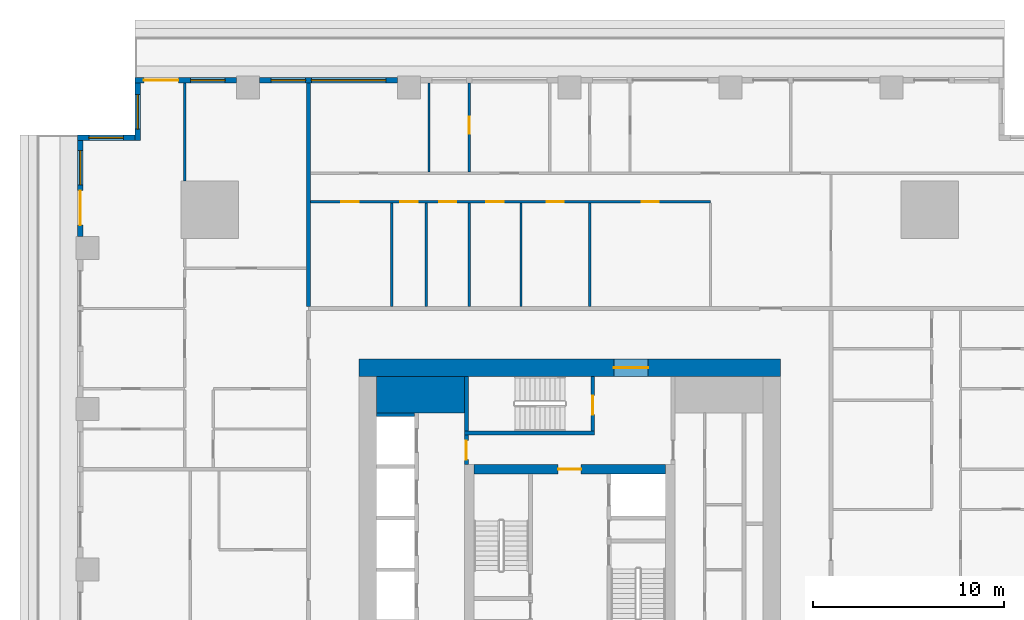
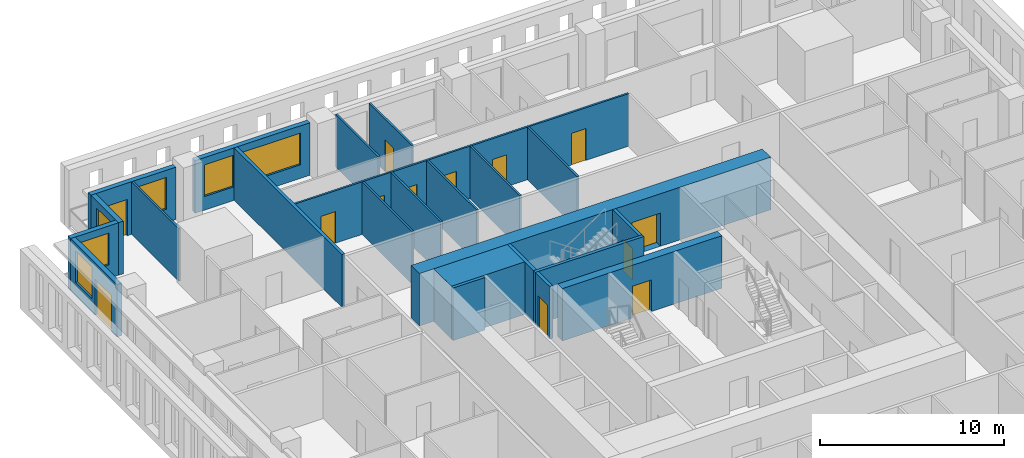
# One storey, part 7 of 14: 23 walls, 13 doors, 6 windows, 19 openings.
"""IFC4 building model written with IfcOpenShell, lengths in metres."""

from ifc_helpers import new_model, si_unit, direction, frame, frame_2d, origin, place, context, subcontext, project, spatial, rectangle, extrude, material, layer, layer_set, type_object, element, fill, save


model = new_model("IFC4")

# Units and contexts
model_context = context("Model", 3, precision=1e-05, world=origin(), true_north=direction((0.0, 1.0)))
body_context = subcontext(model_context, "Body", "Model", "MODEL_VIEW")
ifc_project = project(units=[si_unit("LENGTHUNIT", "METRE"), si_unit("AREAUNIT", "SQUARE_METRE"), si_unit("VOLUMEUNIT", "CUBIC_METRE"), si_unit("PLANEANGLEUNIT", "RADIAN"), si_unit("MASSUNIT", "GRAM", prefix="KILO")], contexts=[model_context])

# Site, building, storey
site_placement = place(None, origin())
site = spatial("IfcSite", under=ifc_project, at=site_placement, CompositionType="ELEMENT")
building_placement = place(site_placement, origin())
building = spatial("IfcBuilding", under=site, at=building_placement, Name="Khepri Terraces", CompositionType="ELEMENT")
storey_placement = place(building_placement, frame((0.0, 0.0, 62.10009765625)))
storey = spatial("IfcBuildingStorey", under=building, at=storey_placement, Name="L14", CompositionType="ELEMENT", Elevation=62.10009765625)

# Walls
ifc_material_1 = material(Name="Concrete C80/95", Category="concrete")
ifc_layer_1 = layer(ifc_material_1, 1.89990234375, Name="Concrete C80/95", Category="concrete")
ifc_layer_set_1 = layer_set([ifc_layer_1], Name="Concrete C80/95")
wall_type_1 = type_object("IfcWallType", Name="Core wall 1900 C80/95", PredefinedType="SHEAR", material=ifc_layer_set_1)
wall_1_placement = place(storey_placement, frame((-10.10009765625, 9.14990234375, 0.0), z_axis=(0.0, 0.0, 1.0), x_axis=(1.0, 0.0, 0.0)))
element("IfcWall", 1, at=wall_1_placement, inside=storey, type_object=wall_type_1, Name="Core wall PR03 L14", PredefinedType="SHEAR", context=body_context, shape_type="SweptSolid", body=[
    extrude(rectangle(XDim=4.60009765625, YDim=1.89990234375, at=frame_2d((2.300048828125, 0.0))), origin(), (0.0, 0.0, 1.0), 3.47998046875),
])
ifc_layer_2 = layer(ifc_material_1, 0.199951171875, Name="Concrete C80/95", Category="concrete")
ifc_layer_set_2 = layer_set([ifc_layer_2], Name="Concrete C80/95")
wall_type_2 = type_object("IfcWallType", Name="Core wall 200 C80/95", PredefinedType="SHEAR", material=ifc_layer_set_2)
wall_2_placement = place(storey_placement, frame((-5.5, 7.14990234375, 0.0), z_axis=(0.0, 0.0, 1.0), x_axis=(1.0, 0.0, 0.0)))
element("IfcWall", 2, at=wall_2_placement, inside=storey, type_object=wall_type_2, Name="Core wall ST05 L14", PredefinedType="SHEAR", context=body_context, shape_type="SweptSolid", body=[
    extrude(rectangle(XDim=6.800048828125, YDim=0.199951171875, at=frame_2d((3.39990234375, 0.0))), origin(), (0.0, 0.0, 1.0), 3.47998046875),
])
wall_3_placement = place(storey_placement, frame((-5.39990234375, 7.25, 0.0), z_axis=(0.0, 0.0, 1.0), x_axis=(0.0, 1.0, 0.0)))
element("IfcWall", 3, at=wall_3_placement, inside=storey, type_object=wall_type_2, Name="Core wall ST06 L14", PredefinedType="SHEAR", context=body_context, shape_type="SweptSolid", body=[
    extrude(rectangle(XDim=2.85009765625, YDim=0.199951171875, at=frame_2d((1.425048828125, 0.0))), origin(), (0.0, 0.0, 1.0), 3.47998046875),
])

# Wall, opening, door
wall_4_placement = place(storey_placement, frame((1.199951171875, 7.25, 0.0), z_axis=(0.0, 0.0, 1.0), x_axis=(0.0, 1.0, 0.0)))
wall_4 = element("IfcWall", 4, at=wall_4_placement, inside=storey, type_object=wall_type_2, Name="Core wall ST07 L14", PredefinedType="SHEAR", context=body_context, shape_type="SweptSolid", body=[
    extrude(rectangle(XDim=2.85009765625, YDim=0.199951171875, at=frame_2d((1.425048828125, 0.0))), origin(), (0.0, 0.0, 1.0), 3.47998046875),
])
opening_1_placement = place(wall_4_placement, frame((0.85009765625, 0.0, 0.0)))
opening_1 = element("IfcOpeningElement", 5, at=opening_1_placement, cuts=wall_4, Name="Opening L14-C15", PredefinedType="OPENING", context=body_context, shape_type="SweptSolid", body=[
    extrude(rectangle(XDim=1.0, YDim=2.10009765625, at=frame_2d((0.5, 1.050048828125))), frame((0.0, 0.10986328125, 0.0), z_axis=(0.0, -1.0, 0.0), x_axis=(1.0, 0.0, 0.0)), (0.0, 0.0, 1.0), 0.219970703125),
])
ifc_material_2 = material(Name="Painted steel", Category="steel")
door_type_1 = type_object("IfcDoorType", Name="DR-CORE-STAIR-1000", OperationType="NOTDEFINED", PredefinedType="DOOR", material=ifc_material_2)
door_1_placement = place(opening_1_placement, origin())
door_1 = element("IfcDoor", 6, at=door_1_placement, inside=storey, type_object=door_type_1, Name="Stair door L14-C15", OperationType="SINGLE_SWING_LEFT", OverallHeight=2.10009765625, OverallWidth=1.0, PredefinedType="DOOR", context=body_context, shape_type="SweptSolid", body=[
    extrude(rectangle(XDim=1.0, YDim=2.10009765625, at=frame_2d((0.5, 1.050048828125))), frame((0.0, 0.02490234375, 0.0), z_axis=(0.0, -1.0, 0.0), x_axis=(1.0, 0.0, 0.0)), (0.0, 0.0, 1.0), 0.050048828125),
])
fill(opening_1, door_1)

# Wall
wall_5_placement = place(storey_placement, frame((-10.10009765625, 8.10009765625, 0.0), z_axis=(0.0, 0.0, 1.0), x_axis=(1.0, 0.0, 0.0)))
element("IfcWall", 7, at=wall_5_placement, inside=storey, type_object=wall_type_2, Name="Core wall SH20 L14", PredefinedType="SHEAR", context=body_context, shape_type="SweptSolid", body=[
    extrude(rectangle(XDim=2.0, YDim=0.199951171875, at=frame_2d((1.0, 0.0))), origin(), (0.0, 0.0, 1.0), 3.47998046875),
])

# Wall, opening, door
ifc_layer_3 = layer(ifc_material_1, 0.5, Name="Concrete C80/95", Category="concrete")
ifc_layer_set_3 = layer_set([ifc_layer_3], Name="Concrete C80/95")
wall_type_3 = type_object("IfcWallType", Name="Core wall 500 C80/95", PredefinedType="SHEAR", material=ifc_layer_set_3)
wall_6_placement = place(storey_placement, frame((-5.0, 5.25, 0.0), z_axis=(0.0, 0.0, 1.0), x_axis=(1.0, 0.0, 0.0)))
wall_6 = element("IfcWall", 8, at=wall_6_placement, inside=storey, type_object=wall_type_3, Name="Core wall BX04 L14", PredefinedType="SHEAR", context=body_context, shape_type="SweptSolid", body=[
    extrude(rectangle(XDim=10.0, YDim=0.5, at=frame_2d((5.0, 0.0))), origin(), (0.0, 0.0, 1.0), 3.47998046875),
])
opening_2_placement = place(wall_6_placement, frame((4.39990234375, 0.0, 0.0)))
opening_2 = element("IfcOpeningElement", 9, at=opening_2_placement, cuts=wall_6, Name="Opening L14-C13", PredefinedType="OPENING", context=body_context, shape_type="SweptSolid", body=[
    extrude(rectangle(XDim=1.199951171875, YDim=2.10009765625, at=frame_2d((0.60009765625, 1.050048828125))), frame((0.0, 0.260009765625, 0.0), z_axis=(0.0, -1.0, 0.0), x_axis=(1.0, 0.0, 0.0)), (0.0, 0.0, 1.0), 0.52001953125),
])
door_type_2 = type_object("IfcDoorType", Name="DR-CORE-FF-LOBBY-1200", OperationType="NOTDEFINED", PredefinedType="DOOR", material=ifc_material_2)
door_2_placement = place(opening_2_placement, frame((1.199951171875, 0.0, 0.0), z_axis=(0.0, 0.0, 1.0), x_axis=(-1.0, 0.0, 0.0)))
door_2 = element("IfcDoor", 10, at=door_2_placement, inside=storey, type_object=door_type_2, Name="Firefighting lobby door L14-C13", OperationType="SINGLE_SWING_LEFT", OverallHeight=2.10009765625, OverallWidth=1.199951171875, PredefinedType="DOOR", context=body_context, shape_type="SweptSolid", body=[
    extrude(rectangle(XDim=1.199951171875, YDim=2.10009765625, at=frame_2d((0.60009765625, 1.050048828125))), frame((0.0, 0.02490234375, 0.0), z_axis=(0.0, -1.0, 0.0), x_axis=(1.0, 0.0, 0.0)), (0.0, 0.0, 1.0), 0.050048828125),
])
fill(opening_2, door_2)

ifc_layer_4 = layer(ifc_material_1, 0.89990234375, Name="Concrete C80/95", Category="concrete")
ifc_layer_set_4 = layer_set([ifc_layer_4], Name="Concrete C80/95")
wall_type_4 = type_object("IfcWallType", Name="Core wall 900 C80/95", PredefinedType="SHEAR", material=ifc_layer_set_4)
wall_7_placement = place(storey_placement, frame((-11.0, 10.550048828125, 0.0), z_axis=(0.0, 0.0, 1.0), x_axis=(1.0, 0.0, 0.0)))
wall_7 = element("IfcWall", 11, at=wall_7_placement, inside=storey, type_object=wall_type_4, Name="Core wall OW-N L14", PredefinedType="SHEAR", context=body_context, shape_type="SweptSolid", body=[
    extrude(rectangle(XDim=22.0, YDim=0.89990234375, at=frame_2d((11.0, 0.0))), origin(), (0.0, 0.0, 1.0), 3.47998046875),
])
opening_3_placement = place(wall_7_placement, frame((13.300048828125, 0.0, 0.0)))
opening_3 = element("IfcOpeningElement", 12, at=opening_3_placement, cuts=wall_7, Name="Opening L14-C20", PredefinedType="OPENING", context=body_context, shape_type="SweptSolid", body=[
    extrude(rectangle(XDim=1.800048828125, YDim=2.199951171875, at=frame_2d((0.89990234375, 1.10009765625))), frame((0.0, 0.4599609375, 0.0), z_axis=(0.0, -1.0, 0.0), x_axis=(1.0, 0.0, 0.0)), (0.0, 0.0, 1.0), 0.919921875),
])
door_type_3 = type_object("IfcDoorType", Name="DR-CORE-ENTRANCE-1800", OperationType="NOTDEFINED", PredefinedType="DOOR", material=ifc_material_2)
door_3_placement = place(opening_3_placement, origin())
door_3 = element("IfcDoor", 13, at=door_3_placement, inside=storey, type_object=door_type_3, Name="Core entrance door pair L14-C20", OperationType="DOUBLE_DOOR_SINGLE_SWING", OverallHeight=2.199951171875, OverallWidth=1.800048828125, PredefinedType="DOOR", context=body_context, shape_type="SweptSolid", body=[
    extrude(rectangle(XDim=1.800048828125, YDim=2.199951171875, at=frame_2d((0.89990234375, 1.10009765625))), frame((0.0, 0.02490234375, 0.0), z_axis=(0.0, -1.0, 0.0), x_axis=(1.0, 0.0, 0.0)), (0.0, 0.0, 1.0), 0.050048828125),
])
fill(opening_3, door_3)

ifc_material_3 = material(Name="Fire-rated gypsum board partition")
ifc_layer_5 = layer(ifc_material_3, 0.199951171875, Name="Fire-rated gypsum board partition")
ifc_layer_set_5 = layer_set([ifc_layer_5], Name="Fire-rated gypsum board partition")
wall_type_5 = type_object("IfcWallType", Name="WL-CORE-PART-200", PredefinedType="PARTITIONING", material=ifc_layer_set_5)
wall_8_placement = place(storey_placement, frame((-5.39990234375, 5.5, 0.0), z_axis=(0.0, 0.0, 1.0), x_axis=(0.0, 1.0, 0.0)))
wall_8 = element("IfcWall", 14, at=wall_8_placement, inside=storey, type_object=wall_type_5, Name="Core partition PT07 L14", PredefinedType="PARTITIONING", context=body_context, shape_type="SweptSolid", body=[
    extrude(rectangle(XDim=1.550048828125, YDim=0.199951171875, at=frame_2d((0.77490234375, 0.0))), origin(), (0.0, 0.0, 1.0), 3.47998046875),
])
opening_4_placement = place(wall_8_placement, frame((0.25, 0.0, 0.0)))
opening_4 = element("IfcOpeningElement", 15, at=opening_4_placement, cuts=wall_8, Name="Opening L14-C16", PredefinedType="OPENING", context=body_context, shape_type="SweptSolid", body=[
    extrude(rectangle(XDim=1.0, YDim=2.10009765625, at=frame_2d((0.5, 1.050048828125))), frame((0.0, 0.10986328125, 0.0), z_axis=(0.0, -1.0, 0.0), x_axis=(1.0, 0.0, 0.0)), (0.0, 0.0, 1.0), 0.219970703125),
])
door_type_4 = type_object("IfcDoorType", Name="DR-CORE-LOBBY-1000", OperationType="NOTDEFINED", PredefinedType="DOOR", material=ifc_material_2)
door_4_placement = place(opening_4_placement, frame((1.0, 0.0, 0.0), z_axis=(0.0, 0.0, 1.0), x_axis=(-1.0, 0.0, 0.0)))
door_4 = element("IfcDoor", 16, at=door_4_placement, inside=storey, type_object=door_type_4, Name="Lobby door L14-C16", OperationType="SINGLE_SWING_RIGHT", OverallHeight=2.10009765625, OverallWidth=1.0, PredefinedType="DOOR", context=body_context, shape_type="SweptSolid", body=[
    extrude(rectangle(XDim=1.0, YDim=2.10009765625, at=frame_2d((0.5, 1.050048828125))), frame((0.0, 0.02490234375, 0.0), z_axis=(0.0, -1.0, 0.0), x_axis=(1.0, 0.0, 0.0)), (0.0, 0.0, 1.0), 0.050048828125),
])
fill(opening_4, door_4)

# Wall
ifc_material_4 = material(Name="Fire-rated gypsum plasterboard partition, mineral wool")
ifc_layer_6 = layer(ifc_material_4, 0.199951171875, Name="Fire-rated gypsum plasterboard partition, mineral wool")
ifc_layer_set_6 = layer_set([ifc_layer_6], Name="Fire-rated gypsum plasterboard partition, mineral wool")
wall_type_6 = type_object("IfcWallType", Name="WL-CORR-200", PredefinedType="PARTITIONING", material=ifc_layer_set_6)
wall_9_placement = place(storey_placement, frame((-13.64990234375, 13.75, 0.0), z_axis=(0.0, 0.0, 1.0), x_axis=(0.0, 1.0, 0.0)))
element("IfcWall", 17, at=wall_9_placement, inside=storey, type_object=wall_type_6, Name="Partition P-081 L14", PredefinedType="PARTITIONING", context=body_context, shape_type="SweptSolid", body=[
    extrude(rectangle(XDim=11.669921875, YDim=0.199951171875, at=frame_2d((5.8349609375, 0.0))), origin(), (0.0, 0.0, 1.0), 3.47998046875),
])

# Wall, openings, windows
ifc_material_5 = material(Name="Precast concrete C50/60 warm stone", Category="masonry")
ifc_layer_7 = layer(ifc_material_5, 0.300048828125, Name="Precast concrete C50/60 warm stone", Category="masonry")
ifc_layer_set_7 = layer_set([ifc_layer_7], Name="Precast concrete C50/60 warm stone")
wall_type_7 = type_object("IfcWallType", Name="WL-EXT-PRECAST-300", PredefinedType="STANDARD", material=ifc_layer_set_7)
wall_10_placement = place(storey_placement, frame((-9.0, 25.570068359375, 0.0), z_axis=(0.0, 0.0, 1.0), x_axis=(-1.0, 0.0, 0.0)))
wall_10 = element("IfcWall", 18, at=wall_10_placement, inside=storey, type_object=wall_type_7, Name="External wall L14 N", PredefinedType="STANDARD", context=body_context, shape_type="SweptSolid", body=[
    extrude(rectangle(XDim=7.199951171875, YDim=0.300048828125, at=frame_2d((3.60009765625, 0.0))), origin(), (0.0, 0.0, 1.0), 3.47998046875),
])
opening_5_placement = place(wall_10_placement, frame((0.60009765625, 0.0, 0.89990234375)))
opening_5 = element("IfcOpeningElement", 19, at=opening_5_placement, cuts=wall_10, Name="Opening W2", PredefinedType="OPENING", context=body_context, shape_type="SweptSolid", body=[
    extrude(rectangle(XDim=3.89990234375, YDim=2.10009765625, at=frame_2d((1.949951171875, 1.050048828125))), frame((0.0, 0.16015625, 0.0), z_axis=(0.0, -1.0, 0.0), x_axis=(1.0, 0.0, 0.0)), (0.0, 0.0, 1.0), 0.320068359375),
])
opening_6_placement = place(wall_10_placement, frame((4.800048828125, 0.0, 0.89990234375)))
opening_6 = element("IfcOpeningElement", 20, at=opening_6_placement, cuts=wall_10, Name="Opening W1", PredefinedType="OPENING", context=body_context, shape_type="SweptSolid", body=[
    extrude(rectangle(XDim=1.800048828125, YDim=2.10009765625, at=frame_2d((0.89990234375, 1.050048828125))), frame((0.0, 0.16015625, 0.0), z_axis=(0.0, -1.0, 0.0), x_axis=(1.0, 0.0, 0.0)), (0.0, 0.0, 1.0), 0.320068359375),
])
ifc_material_6 = material(Name="Clear glass", Category="glass")
window_type_1 = type_object("IfcWindowType", Name="WIN-RES-1800x2100", PartitioningType="SINGLE_PANEL", PredefinedType="WINDOW", material=ifc_material_6)
window_1_placement = place(opening_6_placement, origin())
window_1 = element("IfcWindow", 21, at=window_1_placement, inside=storey, type_object=window_type_1, Name="Window L14 N", OverallHeight=2.10009765625, OverallWidth=1.800048828125, PartitioningType="SINGLE_PANEL", PredefinedType="WINDOW", context=body_context, shape_type="SweptSolid", body=[
    extrude(rectangle(XDim=1.800048828125, YDim=2.10009765625, at=frame_2d((0.89990234375, 1.050048828125))), frame((0.0, 0.030029296875, 0.0), z_axis=(0.0, -1.0, 0.0), x_axis=(1.0, 0.0, 0.0)), (0.0, 0.0, 1.0), 0.06005859375),
])
fill(opening_6, window_1)
window_type_2 = type_object("IfcWindowType", Name="WIN-RES-3900x2100", PartitioningType="SINGLE_PANEL", PredefinedType="WINDOW", material=ifc_material_6)
window_2_placement = place(opening_5_placement, origin())
window_2 = element("IfcWindow", 22, at=window_2_placement, inside=storey, type_object=window_type_2, Name="Window L14 N", OverallHeight=2.10009765625, OverallWidth=3.89990234375, PartitioningType="SINGLE_PANEL", PredefinedType="WINDOW", context=body_context, shape_type="SweptSolid", body=[
    extrude(rectangle(XDim=3.89990234375, YDim=2.10009765625, at=frame_2d((1.949951171875, 1.050048828125))), frame((0.0, 0.030029296875, 0.0), z_axis=(0.0, -1.0, 0.0), x_axis=(1.0, 0.0, 0.0)), (0.0, 0.0, 1.0), 0.06005859375),
])
fill(opening_5, window_2)

# Wall, openings, door, window
wall_11_placement = place(storey_placement, frame((-17.39990234375, 25.570068359375, 0.0), z_axis=(0.0, 0.0, 1.0), x_axis=(-1.0, 0.0, 0.0)))
wall_11 = element("IfcWall", 23, at=wall_11_placement, inside=storey, type_object=wall_type_7, Name="External wall L14 N", PredefinedType="STANDARD", context=body_context, shape_type="SweptSolid", body=[
    extrude(rectangle(XDim=5.320068359375, YDim=0.300048828125, at=frame_2d((2.66015625, 0.0))), origin(), (0.0, 0.0, 1.0), 3.47998046875),
])
opening_7_placement = place(wall_11_placement, frame((0.60009765625, 0.0, 0.89990234375)))
opening_7 = element("IfcOpeningElement", 24, at=opening_7_placement, cuts=wall_11, Name="Opening W1", PredefinedType="OPENING", context=body_context, shape_type="SweptSolid", body=[
    extrude(rectangle(XDim=1.800048828125, YDim=2.10009765625, at=frame_2d((0.89990234375, 1.050048828125))), frame((0.0, 0.16015625, 0.0), z_axis=(0.0, -1.0, 0.0), x_axis=(1.0, 0.0, 0.0)), (0.0, 0.0, 1.0), 0.320068359375),
])
opening_8_placement = place(wall_11_placement, frame((3.044921875, 0.0, 0.0)))
opening_8 = element("IfcOpeningElement", 25, at=opening_8_placement, cuts=wall_11, Name="Opening ED-L14-11", PredefinedType="OPENING", context=body_context, shape_type="SweptSolid", body=[
    extrude(rectangle(XDim=1.800048828125, YDim=2.39990234375, at=frame_2d((0.89990234375, 1.199951171875))), frame((0.0, 0.16015625, 0.0), z_axis=(0.0, -1.0, 0.0), x_axis=(1.0, 0.0, 0.0)), (0.0, 0.0, 1.0), 0.320068359375),
])
ifc_material_7 = material(Name="Anodised aluminium bronze glazed door", Category="aluminium")
door_type_5 = type_object("IfcDoorType", Name="DR-BAL-SLIDE-1800x2400", OperationType="NOTDEFINED", PredefinedType="DOOR", material=ifc_material_7)
door_5_placement = place(opening_8_placement, origin())
door_5 = element("IfcDoor", 26, at=door_5_placement, inside=storey, type_object=door_type_5, Name="Balcony door L14 N", OperationType="SLIDING_TO_RIGHT", OverallHeight=2.39990234375, OverallWidth=1.800048828125, PredefinedType="DOOR", context=body_context, shape_type="SweptSolid", body=[
    extrude(rectangle(XDim=1.800048828125, YDim=2.39990234375, at=frame_2d((0.89990234375, 1.199951171875))), frame((0.0, 0.02490234375, 0.0), z_axis=(0.0, -1.0, 0.0), x_axis=(1.0, 0.0, 0.0)), (0.0, 0.0, 1.0), 0.050048828125),
])
fill(opening_8, door_5)
window_3_placement = place(opening_7_placement, origin())
window_3 = element("IfcWindow", 27, at=window_3_placement, inside=storey, type_object=window_type_1, Name="Window L14 N", OverallHeight=2.10009765625, OverallWidth=1.800048828125, PartitioningType="SINGLE_PANEL", PredefinedType="WINDOW", context=body_context, shape_type="SweptSolid", body=[
    extrude(rectangle(XDim=1.800048828125, YDim=2.10009765625, at=frame_2d((0.89990234375, 1.050048828125))), frame((0.0, 0.030029296875, 0.0), z_axis=(0.0, -1.0, 0.0), x_axis=(1.0, 0.0, 0.0)), (0.0, 0.0, 1.0), 0.06005859375),
])
fill(opening_7, window_3)

# Wall, opening, window
wall_12_placement = place(storey_placement, frame((-22.570068359375, 25.419921875, 0.0), z_axis=(0.0, 0.0, 1.0), x_axis=(0.0, -1.0, 0.0)))
wall_12 = element("IfcWall", 28, at=wall_12_placement, inside=storey, type_object=wall_type_7, Name="External wall L14 W", PredefinedType="STANDARD", context=body_context, shape_type="SweptSolid", body=[
    extrude(rectangle(XDim=3.0, YDim=0.300048828125, at=frame_2d((1.5, 0.0))), origin(), (0.0, 0.0, 1.0), 3.47998046875),
])
opening_9_placement = place(wall_12_placement, frame((0.60009765625, 0.0, 0.89990234375)))
opening_9 = element("IfcOpeningElement", 29, at=opening_9_placement, cuts=wall_12, Name="Opening W1", PredefinedType="OPENING", context=body_context, shape_type="SweptSolid", body=[
    extrude(rectangle(XDim=1.800048828125, YDim=2.10009765625, at=frame_2d((0.89990234375, 1.050048828125))), frame((0.0, 0.16015625, 0.0), z_axis=(0.0, -1.0, 0.0), x_axis=(1.0, 0.0, 0.0)), (0.0, 0.0, 1.0), 0.320068359375),
])
window_4_placement = place(opening_9_placement, origin())
window_4 = element("IfcWindow", 30, at=window_4_placement, inside=storey, type_object=window_type_1, Name="Window L14 W", OverallHeight=2.10009765625, OverallWidth=1.800048828125, PartitioningType="SINGLE_PANEL", PredefinedType="WINDOW", context=body_context, shape_type="SweptSolid", body=[
    extrude(rectangle(XDim=1.800048828125, YDim=2.10009765625, at=frame_2d((0.89990234375, 1.050048828125))), frame((0.0, 0.030029296875, 0.0), z_axis=(0.0, -1.0, 0.0), x_axis=(1.0, 0.0, 0.0)), (0.0, 0.0, 1.0), 0.06005859375),
])
fill(opening_9, window_4)

wall_13_placement = place(storey_placement, frame((-22.719970703125, 22.570068359375, 0.0), z_axis=(0.0, 0.0, 1.0), x_axis=(-1.0, 0.0, 0.0)))
wall_13 = element("IfcWall", 31, at=wall_13_placement, inside=storey, type_object=wall_type_7, Name="External wall L14 N", PredefinedType="STANDARD", context=body_context, shape_type="SweptSolid", body=[
    extrude(rectangle(XDim=3.0, YDim=0.300048828125, at=frame_2d((1.5, 0.0))), origin(), (0.0, 0.0, 1.0), 3.47998046875),
])
opening_10_placement = place(wall_13_placement, frame((0.60009765625, 0.0, 0.89990234375)))
opening_10 = element("IfcOpeningElement", 32, at=opening_10_placement, cuts=wall_13, Name="Opening W1", PredefinedType="OPENING", context=body_context, shape_type="SweptSolid", body=[
    extrude(rectangle(XDim=1.800048828125, YDim=2.10009765625, at=frame_2d((0.89990234375, 1.050048828125))), frame((0.0, 0.16015625, 0.0), z_axis=(0.0, -1.0, 0.0), x_axis=(1.0, 0.0, 0.0)), (0.0, 0.0, 1.0), 0.320068359375),
])
window_5_placement = place(opening_10_placement, origin())
window_5 = element("IfcWindow", 33, at=window_5_placement, inside=storey, type_object=window_type_1, Name="Window L14 N", OverallHeight=2.10009765625, OverallWidth=1.800048828125, PartitioningType="SINGLE_PANEL", PredefinedType="WINDOW", context=body_context, shape_type="SweptSolid", body=[
    extrude(rectangle(XDim=1.800048828125, YDim=2.10009765625, at=frame_2d((0.89990234375, 1.050048828125))), frame((0.0, 0.030029296875, 0.0), z_axis=(0.0, -1.0, 0.0), x_axis=(1.0, 0.0, 0.0)), (0.0, 0.0, 1.0), 0.06005859375),
])
fill(opening_10, window_5)

# Wall, openings, door, window
wall_14_placement = place(storey_placement, frame((-25.570068359375, 22.419921875, 0.0), z_axis=(0.0, 0.0, 1.0), x_axis=(0.0, -1.0, 0.0)))
wall_14 = element("IfcWall", 34, at=wall_14_placement, inside=storey, type_object=wall_type_7, Name="External wall L14 W", PredefinedType="STANDARD", context=body_context, shape_type="SweptSolid", body=[
    extrude(rectangle(XDim=5.02001953125, YDim=0.300048828125, at=frame_2d((2.510009765625, 0.0))), origin(), (0.0, 0.0, 1.0), 3.47998046875),
])
opening_11_placement = place(wall_14_placement, frame((0.52001953125, 0.0, 0.89990234375)))
opening_11 = element("IfcOpeningElement", 35, at=opening_11_placement, cuts=wall_14, Name="Opening W1", PredefinedType="OPENING", context=body_context, shape_type="SweptSolid", body=[
    extrude(rectangle(XDim=1.800048828125, YDim=2.10009765625, at=frame_2d((0.89990234375, 1.050048828125))), frame((0.0, 0.16015625, 0.0), z_axis=(0.0, -1.0, 0.0), x_axis=(1.0, 0.0, 0.0)), (0.0, 0.0, 1.0), 0.320068359375),
])
opening_12_placement = place(wall_14_placement, frame((2.6201171875, 0.0, 0.0)))
opening_12 = element("IfcOpeningElement", 36, at=opening_12_placement, cuts=wall_14, Name="Opening ED-L14-12", PredefinedType="OPENING", context=body_context, shape_type="SweptSolid", body=[
    extrude(rectangle(XDim=1.800048828125, YDim=2.39990234375, at=frame_2d((0.89990234375, 1.199951171875))), frame((0.0, 0.16015625, 0.0), z_axis=(0.0, -1.0, 0.0), x_axis=(1.0, 0.0, 0.0)), (0.0, 0.0, 1.0), 0.320068359375),
])
door_6_placement = place(opening_12_placement, origin())
door_6 = element("IfcDoor", 37, at=door_6_placement, inside=storey, type_object=door_type_5, Name="Balcony door L14 W", OperationType="SLIDING_TO_RIGHT", OverallHeight=2.39990234375, OverallWidth=1.800048828125, PredefinedType="DOOR", context=body_context, shape_type="SweptSolid", body=[
    extrude(rectangle(XDim=1.800048828125, YDim=2.39990234375, at=frame_2d((0.89990234375, 1.199951171875))), frame((0.0, 0.02490234375, 0.0), z_axis=(0.0, -1.0, 0.0), x_axis=(1.0, 0.0, 0.0)), (0.0, 0.0, 1.0), 0.050048828125),
])
fill(opening_12, door_6)
window_6_placement = place(opening_11_placement, origin())
window_6 = element("IfcWindow", 38, at=window_6_placement, inside=storey, type_object=window_type_1, Name="Window L14 W", OverallHeight=2.10009765625, OverallWidth=1.800048828125, PartitioningType="SINGLE_PANEL", PredefinedType="WINDOW", context=body_context, shape_type="SweptSolid", body=[
    extrude(rectangle(XDim=1.800048828125, YDim=2.10009765625, at=frame_2d((0.89990234375, 1.050048828125))), frame((0.0, 0.030029296875, 0.0), z_axis=(0.0, -1.0, 0.0), x_axis=(1.0, 0.0, 0.0)), (0.0, 0.0, 1.0), 0.06005859375),
])
fill(opening_11, window_6)

# Walls
ifc_material_8 = material(Name="Gypsum plasterboard partition")
ifc_layer_8 = layer(ifc_material_8, 0.1201171875, Name="Gypsum plasterboard partition")
ifc_layer_set_8 = layer_set([ifc_layer_8], Name="Gypsum plasterboard partition")
wall_type_8 = type_object("IfcWallType", Name="WL-PART-120", PredefinedType="PARTITIONING", material=ifc_layer_set_8)
for number, where, z_axis, x_axis, name in (
    (39, (-9.300048828125, 13.75, 0.0), (0.0, 0.0, 1.0), (0.0, 1.0, 0.0), "Partition P-082 L14"),
    (40, (-7.5, 13.75, 0.0), (0.0, 0.0, 1.0), (0.0, 1.0, 0.0), "Partition P-083 L14"),
    (41, (-5.25, 13.75, 0.0), (0.0, 0.0, 1.0), (0.0, 1.0, 0.0), "Partition P-084 L14"),
    (42, (-2.550048828125, 13.75, 0.0), (0.0, 0.0, 1.0), (0.0, 1.0, 0.0), "Partition P-085 L14"),
    (43, (1.050048828125, 13.75, 0.0), (0.0, 0.0, 1.0), (0.0, 1.0, 0.0), "Partition P-086 L14"),
):
    element("IfcWall", number, at=place(storey_placement, frame(where, z_axis=z_axis, x_axis=x_axis)), inside=storey, type_object=wall_type_8, Name=name, PredefinedType="PARTITIONING", context=body_context, shape_type="SweptSolid", body=[
        extrude(rectangle(XDim=5.409912109375, YDim=0.1201171875, at=frame_2d((2.705078125, 0.0))), origin(), (0.0, 0.0, 1.0), 3.47998046875),
    ])

# Wall, openings, doors
wall_15_placement = place(storey_placement, frame((-13.550048828125, 19.219970703125, 0.0), z_axis=(0.0, 0.0, 1.0), x_axis=(1.0, 0.0, 0.0)))
wall_15 = element("IfcWall", 44, at=wall_15_placement, inside=storey, type_object=wall_type_8, Name="Partition P-091 L14", PredefinedType="PARTITIONING", context=body_context, shape_type="SweptSolid", body=[
    extrude(rectangle(XDim=20.900146484375, YDim=0.1201171875, at=frame_2d((10.4501953125, 0.0))), origin(), (0.0, 0.0, 1.0), 3.47998046875),
])
opening_13_placement = place(wall_15_placement, frame((17.300048828125, 0.0, 0.0)))
opening_13 = element("IfcOpeningElement", 45, at=opening_13_placement, cuts=wall_15, Name="Opening D3", PredefinedType="OPENING", context=body_context, shape_type="SweptSolid", body=[
    extrude(rectangle(XDim=0.89990234375, YDim=2.10009765625, at=frame_2d((0.449951171875, 1.050048828125))), frame((0.0, 0.070068359375, 0.0), z_axis=(0.0, -1.0, 0.0), x_axis=(1.0, 0.0, 0.0)), (0.0, 0.0, 1.0), 0.14013671875),
])
opening_14_placement = place(wall_15_placement, frame((12.35009765625, 0.0, 0.0)))
opening_14 = element("IfcOpeningElement", 46, at=opening_14_placement, cuts=wall_15, Name="Opening D3", PredefinedType="OPENING", context=body_context, shape_type="SweptSolid", body=[
    extrude(rectangle(XDim=0.89990234375, YDim=2.10009765625, at=frame_2d((0.449951171875, 1.050048828125))), frame((0.0, 0.070068359375, 0.0), z_axis=(0.0, -1.0, 0.0), x_axis=(1.0, 0.0, 0.0)), (0.0, 0.0, 1.0), 0.14013671875),
])
opening_15_placement = place(wall_15_placement, frame((9.199951171875, 0.0, 0.0)))
opening_15 = element("IfcOpeningElement", 47, at=opening_15_placement, cuts=wall_15, Name="Opening D3", PredefinedType="OPENING", context=body_context, shape_type="SweptSolid", body=[
    extrude(rectangle(XDim=0.89990234375, YDim=2.10009765625, at=frame_2d((0.449951171875, 1.050048828125))), frame((0.0, 0.070068359375, 0.0), z_axis=(0.0, -1.0, 0.0), x_axis=(1.0, 0.0, 0.0)), (0.0, 0.0, 1.0), 0.14013671875),
])
opening_16_placement = place(wall_15_placement, frame((6.72509765625, 0.0, 0.0)))
opening_16 = element("IfcOpeningElement", 48, at=opening_16_placement, cuts=wall_15, Name="Opening D4", PredefinedType="OPENING", context=body_context, shape_type="SweptSolid", body=[
    extrude(rectangle(XDim=0.89990234375, YDim=2.10009765625, at=frame_2d((0.449951171875, 1.050048828125))), frame((0.0, 0.070068359375, 0.0), z_axis=(0.0, -1.0, 0.0), x_axis=(1.0, 0.0, 0.0)), (0.0, 0.0, 1.0), 0.14013671875),
])
opening_17_placement = place(wall_15_placement, frame((4.699951171875, 0.0, 0.0)))
opening_17 = element("IfcOpeningElement", 49, at=opening_17_placement, cuts=wall_15, Name="Opening D4", PredefinedType="OPENING", context=body_context, shape_type="SweptSolid", body=[
    extrude(rectangle(XDim=0.89990234375, YDim=2.10009765625, at=frame_2d((0.449951171875, 1.050048828125))), frame((0.0, 0.070068359375, 0.0), z_axis=(0.0, -1.0, 0.0), x_axis=(1.0, 0.0, 0.0)), (0.0, 0.0, 1.0), 0.14013671875),
])
opening_18_placement = place(wall_15_placement, frame((1.625, 0.0, 0.0)))
opening_18 = element("IfcOpeningElement", 50, at=opening_18_placement, cuts=wall_15, Name="Opening D3", PredefinedType="OPENING", context=body_context, shape_type="SweptSolid", body=[
    extrude(rectangle(XDim=0.89990234375, YDim=2.10009765625, at=frame_2d((0.449951171875, 1.050048828125))), frame((0.0, 0.070068359375, 0.0), z_axis=(0.0, -1.0, 0.0), x_axis=(1.0, 0.0, 0.0)), (0.0, 0.0, 1.0), 0.14013671875),
])
ifc_material_9 = material(Name="Timber door leaf", Category="wood")
door_type_6 = type_object("IfcDoorType", Name="DR-INT-900", OperationType="NOTDEFINED", PredefinedType="DOOR", material=ifc_material_9)
door_7_placement = place(opening_13_placement, frame((0.89990234375, 0.0, 0.0), z_axis=(0.0, 0.0, 1.0), x_axis=(-1.0, 0.0, 0.0)))
door_7 = element("IfcDoor", 51, at=door_7_placement, inside=storey, type_object=door_type_6, Name="Door Kitchen", OperationType="SINGLE_SWING_LEFT", OverallHeight=2.10009765625, OverallWidth=0.89990234375, PredefinedType="DOOR", context=body_context, shape_type="SweptSolid", body=[
    extrude(rectangle(XDim=0.89990234375, YDim=2.10009765625, at=frame_2d((0.449951171875, 1.050048828125))), frame((0.0, 0.02490234375, 0.0), z_axis=(0.0, -1.0, 0.0), x_axis=(1.0, 0.0, 0.0)), (0.0, 0.0, 1.0), 0.050048828125),
])
fill(opening_13, door_7)
door_8_placement = place(opening_14_placement, frame((0.89990234375, 0.0, 0.0), z_axis=(0.0, 0.0, 1.0), x_axis=(-1.0, 0.0, 0.0)))
door_8 = element("IfcDoor", 52, at=door_8_placement, inside=storey, type_object=door_type_6, Name="Door Service Store", OperationType="SINGLE_SWING_LEFT", OverallHeight=2.10009765625, OverallWidth=0.89990234375, PredefinedType="DOOR", context=body_context, shape_type="SweptSolid", body=[
    extrude(rectangle(XDim=0.89990234375, YDim=2.10009765625, at=frame_2d((0.449951171875, 1.050048828125))), frame((0.0, 0.02490234375, 0.0), z_axis=(0.0, -1.0, 0.0), x_axis=(1.0, 0.0, 0.0)), (0.0, 0.0, 1.0), 0.050048828125),
])
fill(opening_14, door_8)
door_9_placement = place(opening_15_placement, frame((0.89990234375, 0.0, 0.0), z_axis=(0.0, 0.0, 1.0), x_axis=(-1.0, 0.0, 0.0)))
door_9 = element("IfcDoor", 53, at=door_9_placement, inside=storey, type_object=door_type_6, Name="Door Utility Room", OperationType="SINGLE_SWING_RIGHT", OverallHeight=2.10009765625, OverallWidth=0.89990234375, PredefinedType="DOOR", context=body_context, shape_type="SweptSolid", body=[
    extrude(rectangle(XDim=0.89990234375, YDim=2.10009765625, at=frame_2d((0.449951171875, 1.050048828125))), frame((0.0, 0.02490234375, 0.0), z_axis=(0.0, -1.0, 0.0), x_axis=(1.0, 0.0, 0.0)), (0.0, 0.0, 1.0), 0.050048828125),
])
fill(opening_15, door_9)
door_10_placement = place(opening_18_placement, frame((0.89990234375, 0.0, 0.0), z_axis=(0.0, 0.0, 1.0), x_axis=(-1.0, 0.0, 0.0)))
door_10 = element("IfcDoor", 54, at=door_10_placement, inside=storey, type_object=door_type_6, Name="Door Staff Bedroom", OperationType="SINGLE_SWING_RIGHT", OverallHeight=2.10009765625, OverallWidth=0.89990234375, PredefinedType="DOOR", context=body_context, shape_type="SweptSolid", body=[
    extrude(rectangle(XDim=0.89990234375, YDim=2.10009765625, at=frame_2d((0.449951171875, 1.050048828125))), frame((0.0, 0.02490234375, 0.0), z_axis=(0.0, -1.0, 0.0), x_axis=(1.0, 0.0, 0.0)), (0.0, 0.0, 1.0), 0.050048828125),
])
fill(opening_18, door_10)
ifc_material_10 = material(Name="Timber door leaf, moisture resistant", Category="wood")
door_type_7 = type_object("IfcDoorType", Name="DR-WET-900", OperationType="NOTDEFINED", PredefinedType="DOOR", material=ifc_material_10)
door_11_placement = place(opening_16_placement, frame((0.89990234375, 0.0, 0.0), z_axis=(0.0, 0.0, 1.0), x_axis=(-1.0, 0.0, 0.0)))
door_11 = element("IfcDoor", 55, at=door_11_placement, inside=storey, type_object=door_type_7, Name="Door Powder Room", OperationType="SINGLE_SWING_RIGHT", OverallHeight=2.10009765625, OverallWidth=0.89990234375, PredefinedType="DOOR", context=body_context, shape_type="SweptSolid", body=[
    extrude(rectangle(XDim=0.89990234375, YDim=2.10009765625, at=frame_2d((0.449951171875, 1.050048828125))), frame((0.0, 0.02490234375, 0.0), z_axis=(0.0, -1.0, 0.0), x_axis=(1.0, 0.0, 0.0)), (0.0, 0.0, 1.0), 0.050048828125),
])
fill(opening_16, door_11)
door_12_placement = place(opening_17_placement, frame((0.89990234375, 0.0, 0.0), z_axis=(0.0, 0.0, 1.0), x_axis=(-1.0, 0.0, 0.0)))
door_12 = element("IfcDoor", 56, at=door_12_placement, inside=storey, type_object=door_type_7, Name="Door Guest Bathroom", OperationType="SINGLE_SWING_RIGHT", OverallHeight=2.10009765625, OverallWidth=0.89990234375, PredefinedType="DOOR", context=body_context, shape_type="SweptSolid", body=[
    extrude(rectangle(XDim=0.89990234375, YDim=2.10009765625, at=frame_2d((0.449951171875, 1.050048828125))), frame((0.0, 0.02490234375, 0.0), z_axis=(0.0, -1.0, 0.0), x_axis=(1.0, 0.0, 0.0)), (0.0, 0.0, 1.0), 0.050048828125),
])
fill(opening_17, door_12)

# Walls
wall_16_placement = place(storey_placement, frame((-20.1201171875, 20.300048828125, 0.0), z_axis=(0.0, 0.0, 1.0), x_axis=(0.0, 1.0, 0.0)))
element("IfcWall", 57, at=wall_16_placement, inside=storey, type_object=wall_type_8, Name="Partition P-092 L14", PredefinedType="PARTITIONING", context=body_context, shape_type="SweptSolid", body=[
    extrude(rectangle(XDim=5.119873046875, YDim=0.1201171875, at=frame_2d((2.56005859375, 0.0))), origin(), (0.0, 0.0, 1.0), 3.47998046875),
])
wall_17_placement = place(storey_placement, frame((-7.35009765625, 20.780029296875, 0.0), z_axis=(0.0, 0.0, 1.0), x_axis=(0.0, 1.0, 0.0)))
element("IfcWall", 58, at=wall_17_placement, inside=storey, type_object=wall_type_8, Name="Partition P-094 L14", PredefinedType="PARTITIONING", context=body_context, shape_type="SweptSolid", body=[
    extrude(rectangle(XDim=4.639892578125, YDim=0.1201171875, at=frame_2d((2.31982421875, 0.0))), origin(), (0.0, 0.0, 1.0), 3.47998046875),
])

# Wall, opening, door
wall_18_placement = place(storey_placement, frame((-5.25, 20.780029296875, 0.0), z_axis=(0.0, 0.0, 1.0), x_axis=(0.0, 1.0, 0.0)))
wall_18 = element("IfcWall", 59, at=wall_18_placement, inside=storey, type_object=wall_type_8, Name="Partition P-095 L14", PredefinedType="PARTITIONING", context=body_context, shape_type="SweptSolid", body=[
    extrude(rectangle(XDim=4.639892578125, YDim=0.1201171875, at=frame_2d((2.31982421875, 0.0))), origin(), (0.0, 0.0, 1.0), 3.47998046875),
])
opening_19_placement = place(wall_18_placement, frame((1.989990234375, 0.0, 0.0)))
opening_19 = element("IfcOpeningElement", 60, at=opening_19_placement, cuts=wall_18, Name="Opening D4", PredefinedType="OPENING", context=body_context, shape_type="SweptSolid", body=[
    extrude(rectangle(XDim=0.89990234375, YDim=2.10009765625, at=frame_2d((0.449951171875, 1.050048828125))), frame((0.0, 0.070068359375, 0.0), z_axis=(0.0, -1.0, 0.0), x_axis=(1.0, 0.0, 0.0)), (0.0, 0.0, 1.0), 0.14013671875),
])
door_13_placement = place(opening_19_placement, origin())
door_13 = element("IfcDoor", 61, at=door_13_placement, inside=storey, type_object=door_type_7, Name="Door Bathroom", OperationType="SINGLE_SWING_RIGHT", OverallHeight=2.10009765625, OverallWidth=0.89990234375, PredefinedType="DOOR", context=body_context, shape_type="SweptSolid", body=[
    extrude(rectangle(XDim=0.89990234375, YDim=2.10009765625, at=frame_2d((0.449951171875, 1.050048828125))), frame((0.0, 0.02490234375, 0.0), z_axis=(0.0, -1.0, 0.0), x_axis=(1.0, 0.0, 0.0)), (0.0, 0.0, 1.0), 0.050048828125),
])
fill(opening_19, door_13)

save(model, "model.ifc")
